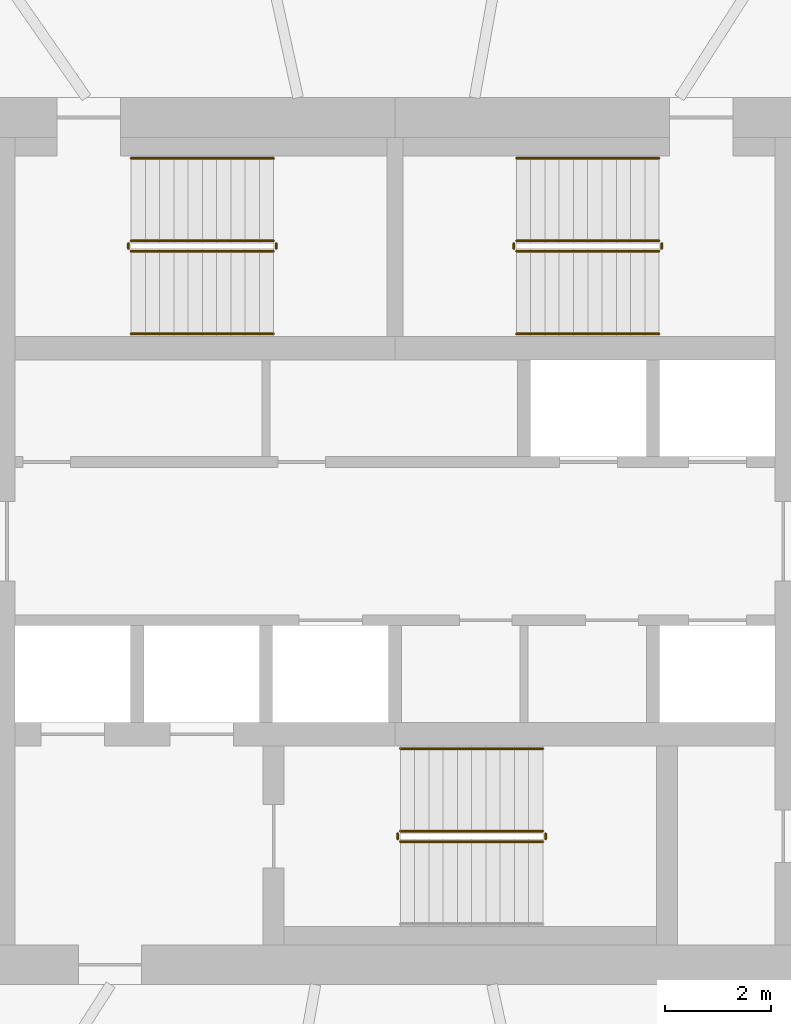
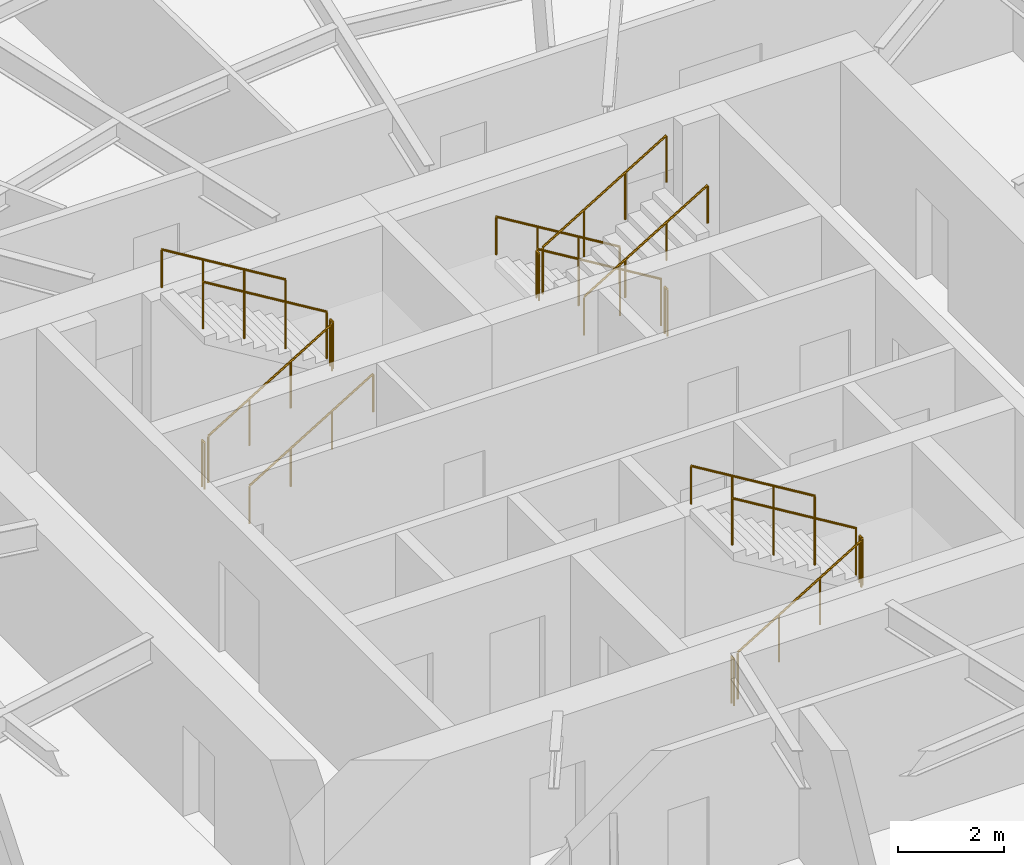
# One storey, part 13 of 14: 17 railings.
"""IFC4 building model written with IfcOpenShell, lengths in metres."""

from ifc_helpers import new_model, si_unit, direction, frame, origin, origin_2d, place, context, subcontext, project, spatial, circle, extrude, material, type_object, element, save


model = new_model("IFC4")

# Units and contexts
model_context = context("Model", 3, precision=1e-05, world=origin(), true_north=direction((0.0, 1.0)))
body_context = subcontext(model_context, "Body", "Model", "MODEL_VIEW")
ifc_project = project(units=[si_unit("LENGTHUNIT", "METRE"), si_unit("AREAUNIT", "SQUARE_METRE"), si_unit("VOLUMEUNIT", "CUBIC_METRE"), si_unit("PLANEANGLEUNIT", "RADIAN"), si_unit("MASSUNIT", "GRAM", prefix="KILO")], contexts=[model_context])

# Site, building, storey
site_placement = place(None, origin())
site = spatial("IfcSite", under=ifc_project, at=site_placement, CompositionType="ELEMENT")
building_placement = place(site_placement, origin())
building = spatial("IfcBuilding", under=site, at=building_placement, Name="Vermilion Reach Broadcast Tower", CompositionType="ELEMENT")
storey_placement = place(building_placement, frame((0.0, 0.0, 210.10009765625)))
storey = spatial("IfcBuildingStorey", under=building, at=storey_placement, Name="L51", CompositionType="ELEMENT", Elevation=210.10009765625)

# Railings
ifc_material_1 = material(Name="Stainless steel", Category="steel")
railing_type_1 = type_object("IfcRailingType", Name="Stair guard 1100", PredefinedType="GUARDRAIL", material=ifc_material_1)
railing_1_placement = place(storey_placement, frame((-11.0, 5.489990234375, 0.16357421875)))
element("IfcRailing", 1, at=railing_1_placement, inside=storey, type_object=railing_type_1, Name="L51 ST1 stair guard 1", PredefinedType="GUARDRAIL", context=body_context, shape_type="SweptSolid", body=[
    extrude(circle(Radius=0.02392578125, at=origin_2d()), frame((0.0, 0.0, 1.076171875), z_axis=(0.855212373127, 0.0, 0.518277721738), x_axis=(0.0, 1.0, 0.0)), (0.0, 0.0, 1.0), 3.156982421875),
    extrude(circle(Radius=0.02099609375, at=origin_2d()), origin(), (0.0, 0.0, 1.0), 1.052001953125),
    extrude(circle(Radius=0.02099609375, at=origin_2d()), frame((0.89990234375, 0.0, 0.54541015625)), (0.0, 0.0, 1.0), 1.052001953125),
    extrude(circle(Radius=0.02099609375, at=origin_2d()), frame((1.800048828125, 0.0, 1.0908203125)), (0.0, 0.0, 1.0), 1.052001953125),
    extrude(circle(Radius=0.02099609375, at=origin_2d()), frame((2.699951171875, 0.0, 1.63623046875)), (0.0, 0.0, 1.0), 1.052001953125),
])
railing_2_placement = place(storey_placement, frame((-8.25, 5.5400390625, 1.7998046875)))
element("IfcRailing", 2, at=railing_2_placement, inside=storey, type_object=railing_type_1, Name="L51 ST1 stair guard 2", PredefinedType="GUARDRAIL", context=body_context, shape_type="SweptSolid", body=[
    extrude(circle(Radius=0.02392578125, at=origin_2d()), frame((0.0, 0.0, 1.076171875), z_axis=(0.0, 1.0, 0.0), x_axis=(-1.0, 0.0, 0.0)), (0.0, 0.0, 1.0), 0.099853515625),
    extrude(circle(Radius=0.02099609375, at=origin_2d()), origin(), (0.0, 0.0, 1.0), 1.052001953125),
    extrude(circle(Radius=0.02099609375, at=origin_2d()), frame((0.0, 0.099853515625, 0.0)), (0.0, 0.0, 1.0), 1.052001953125),
])
railing_3_placement = place(storey_placement, frame((-8.300048828125, 5.68994140625, 1.963623046875)))
element("IfcRailing", 3, at=railing_3_placement, inside=storey, type_object=railing_type_1, Name="L51 ST1 stair guard 3", PredefinedType="GUARDRAIL", context=body_context, shape_type="SweptSolid", body=[
    extrude(circle(Radius=0.02392578125, at=origin_2d()), frame((0.0, 0.0, 1.076171875), z_axis=(-0.855212373127, 0.0, 0.518277721738), x_axis=(0.0, -1.0, 0.0)), (0.0, 0.0, 1.0), 3.156982421875),
    extrude(circle(Radius=0.02099609375, at=origin_2d()), origin(), (0.0, 0.0, 1.0), 1.052001953125),
    extrude(circle(Radius=0.02099609375, at=origin_2d()), frame((-0.89990234375, 0.0, 0.54541015625)), (0.0, 0.0, 1.0), 1.052001953125),
    extrude(circle(Radius=0.02099609375, at=origin_2d()), frame((-1.800048828125, 0.0, 1.0908203125)), (0.0, 0.0, 1.0), 1.052001953125),
    extrude(circle(Radius=0.02099609375, at=origin_2d()), frame((-2.699951171875, 0.0, 1.63623046875)), (0.0, 0.0, 1.0), 1.052001953125),
])
railing_4_placement = place(storey_placement, frame((-11.050048828125, 5.5400390625, 0.0)))
element("IfcRailing", 4, at=railing_4_placement, inside=storey, type_object=railing_type_1, Name="L51 ST1 stair guard 4", PredefinedType="GUARDRAIL", context=body_context, shape_type="SweptSolid", body=[
    extrude(circle(Radius=0.02392578125, at=origin_2d()), frame((0.0, 0.0, 1.076171875), z_axis=(0.0, 1.0, 0.0), x_axis=(-1.0, 0.0, 0.0)), (0.0, 0.0, 1.0), 0.099853515625),
    extrude(circle(Radius=0.02099609375, at=origin_2d()), origin(), (0.0, 0.0, 1.0), 1.052001953125),
    extrude(circle(Radius=0.02099609375, at=origin_2d()), frame((0.0, 0.099853515625, 0.0)), (0.0, 0.0, 1.0), 1.052001953125),
])
railing_5_placement = place(storey_placement, frame((-1.0, 5.68994140625, 0.16357421875)))
element("IfcRailing", 5, at=railing_5_placement, inside=storey, type_object=railing_type_1, Name="L51 ST2 stair guard 1", PredefinedType="GUARDRAIL", context=body_context, shape_type="SweptSolid", body=[
    extrude(circle(Radius=0.02392578125, at=origin_2d()), frame((0.0, 0.0, 1.076171875), z_axis=(-0.855212373127, 0.0, 0.518277721738), x_axis=(0.0, -1.0, 0.0)), (0.0, 0.0, 1.0), 3.156982421875),
    extrude(circle(Radius=0.02099609375, at=origin_2d()), origin(), (0.0, 0.0, 1.0), 1.052001953125),
    extrude(circle(Radius=0.02099609375, at=origin_2d()), frame((-0.89990234375, 0.0, 0.54541015625)), (0.0, 0.0, 1.0), 1.052001953125),
    extrude(circle(Radius=0.02099609375, at=origin_2d()), frame((-1.800048828125, 0.0, 1.0908203125)), (0.0, 0.0, 1.0), 1.052001953125),
    extrude(circle(Radius=0.02099609375, at=origin_2d()), frame((-2.699951171875, 0.0, 1.63623046875)), (0.0, 0.0, 1.0), 1.052001953125),
])
railing_6_placement = place(storey_placement, frame((-3.75, 5.639892578125, 1.7998046875)))
element("IfcRailing", 6, at=railing_6_placement, inside=storey, type_object=railing_type_1, Name="L51 ST2 stair guard 2", PredefinedType="GUARDRAIL", context=body_context, shape_type="SweptSolid", body=[
    extrude(circle(Radius=0.02392578125, at=origin_2d()), frame((0.0, 0.0, 1.076171875), z_axis=(0.0, -1.0, 0.0), x_axis=(1.0, 0.0, 0.0)), (0.0, 0.0, 1.0), 0.099853515625),
    extrude(circle(Radius=0.02099609375, at=origin_2d()), origin(), (0.0, 0.0, 1.0), 1.052001953125),
    extrude(circle(Radius=0.02099609375, at=origin_2d()), frame((0.0, -0.099853515625, 0.0)), (0.0, 0.0, 1.0), 1.052001953125),
])
railing_7_placement = place(storey_placement, frame((-3.699951171875, 5.489990234375, 1.963623046875)))
element("IfcRailing", 7, at=railing_7_placement, inside=storey, type_object=railing_type_1, Name="L51 ST2 stair guard 3", PredefinedType="GUARDRAIL", context=body_context, shape_type="SweptSolid", body=[
    extrude(circle(Radius=0.02392578125, at=origin_2d()), frame((0.0, 0.0, 1.076171875), z_axis=(0.855212373127, 0.0, 0.518277721738), x_axis=(0.0, 1.0, 0.0)), (0.0, 0.0, 1.0), 3.156982421875),
    extrude(circle(Radius=0.02099609375, at=origin_2d()), origin(), (0.0, 0.0, 1.0), 1.052001953125),
    extrude(circle(Radius=0.02099609375, at=origin_2d()), frame((0.89990234375, 0.0, 0.54541015625)), (0.0, 0.0, 1.0), 1.052001953125),
    extrude(circle(Radius=0.02099609375, at=origin_2d()), frame((1.800048828125, 0.0, 1.0908203125)), (0.0, 0.0, 1.0), 1.052001953125),
    extrude(circle(Radius=0.02099609375, at=origin_2d()), frame((2.699951171875, 0.0, 1.63623046875)), (0.0, 0.0, 1.0), 1.052001953125),
])
railing_8_placement = place(storey_placement, frame((-0.949951171875, 5.639892578125, 0.0)))
element("IfcRailing", 8, at=railing_8_placement, inside=storey, type_object=railing_type_1, Name="L51 ST2 stair guard 4", PredefinedType="GUARDRAIL", context=body_context, shape_type="SweptSolid", body=[
    extrude(circle(Radius=0.02392578125, at=origin_2d()), frame((0.0, 0.0, 1.076171875), z_axis=(0.0, -1.0, 0.0), x_axis=(1.0, 0.0, 0.0)), (0.0, 0.0, 1.0), 0.099853515625),
    extrude(circle(Radius=0.02099609375, at=origin_2d()), origin(), (0.0, 0.0, 1.0), 1.052001953125),
    extrude(circle(Radius=0.02099609375, at=origin_2d()), frame((0.0, -0.099853515625, 0.0)), (0.0, 0.0, 1.0), 1.052001953125),
])
railing_9_placement = place(storey_placement, frame((-5.89990234375, -5.68994140625, 0.16357421875)))
element("IfcRailing", 9, at=railing_9_placement, inside=storey, type_object=railing_type_1, Name="L51 ST3 stair guard 1", PredefinedType="GUARDRAIL", context=body_context, shape_type="SweptSolid", body=[
    extrude(circle(Radius=0.02392578125, at=origin_2d()), frame((0.0, 0.0, 1.076171875), z_axis=(0.855212373127, 0.0, 0.518277721738), x_axis=(0.0, 1.0, 0.0)), (0.0, 0.0, 1.0), 3.156982421875),
    extrude(circle(Radius=0.02099609375, at=origin_2d()), origin(), (0.0, 0.0, 1.0), 1.052001953125),
    extrude(circle(Radius=0.02099609375, at=origin_2d()), frame((0.89990234375, 0.0, 0.54541015625)), (0.0, 0.0, 1.0), 1.052001953125),
    extrude(circle(Radius=0.02099609375, at=origin_2d()), frame((1.800048828125, 0.0, 1.0908203125)), (0.0, 0.0, 1.0), 1.052001953125),
    extrude(circle(Radius=0.02099609375, at=origin_2d()), frame((2.699951171875, 0.0, 1.63623046875)), (0.0, 0.0, 1.0), 1.052001953125),
])
railing_10_placement = place(storey_placement, frame((-3.14990234375, -5.639892578125, 1.7998046875)))
element("IfcRailing", 10, at=railing_10_placement, inside=storey, type_object=railing_type_1, Name="L51 ST3 stair guard 2", PredefinedType="GUARDRAIL", context=body_context, shape_type="SweptSolid", body=[
    extrude(circle(Radius=0.02392578125, at=origin_2d()), frame((0.0, 0.0, 1.076171875), z_axis=(0.0, 1.0, 0.0), x_axis=(-1.0, 0.0, 0.0)), (0.0, 0.0, 1.0), 0.099853515625),
    extrude(circle(Radius=0.02099609375, at=origin_2d()), origin(), (0.0, 0.0, 1.0), 1.052001953125),
    extrude(circle(Radius=0.02099609375, at=origin_2d()), frame((0.0, 0.099853515625, 0.0)), (0.0, 0.0, 1.0), 1.052001953125),
])
railing_11_placement = place(storey_placement, frame((-3.199951171875, -5.489990234375, 1.963623046875)))
element("IfcRailing", 11, at=railing_11_placement, inside=storey, type_object=railing_type_1, Name="L51 ST3 stair guard 3", PredefinedType="GUARDRAIL", context=body_context, shape_type="SweptSolid", body=[
    extrude(circle(Radius=0.02392578125, at=origin_2d()), frame((0.0, 0.0, 1.076171875), z_axis=(-0.855212373127, 0.0, 0.518277721738), x_axis=(0.0, -1.0, 0.0)), (0.0, 0.0, 1.0), 3.156982421875),
    extrude(circle(Radius=0.02099609375, at=origin_2d()), origin(), (0.0, 0.0, 1.0), 1.052001953125),
    extrude(circle(Radius=0.02099609375, at=origin_2d()), frame((-0.89990234375, 0.0, 0.54541015625)), (0.0, 0.0, 1.0), 1.052001953125),
    extrude(circle(Radius=0.02099609375, at=origin_2d()), frame((-1.800048828125, 0.0, 1.0908203125)), (0.0, 0.0, 1.0), 1.052001953125),
    extrude(circle(Radius=0.02099609375, at=origin_2d()), frame((-2.699951171875, 0.0, 1.63623046875)), (0.0, 0.0, 1.0), 1.052001953125),
])
railing_12_placement = place(storey_placement, frame((-5.949951171875, -5.639892578125, 0.0)))
element("IfcRailing", 12, at=railing_12_placement, inside=storey, type_object=railing_type_1, Name="L51 ST3 stair guard 4", PredefinedType="GUARDRAIL", context=body_context, shape_type="SweptSolid", body=[
    extrude(circle(Radius=0.02392578125, at=origin_2d()), frame((0.0, 0.0, 1.076171875), z_axis=(0.0, 1.0, 0.0), x_axis=(-1.0, 0.0, 0.0)), (0.0, 0.0, 1.0), 0.099853515625),
    extrude(circle(Radius=0.02099609375, at=origin_2d()), origin(), (0.0, 0.0, 1.0), 1.052001953125),
    extrude(circle(Radius=0.02099609375, at=origin_2d()), frame((0.0, 0.099853515625, 0.0)), (0.0, 0.0, 1.0), 1.052001953125),
])
ifc_material_2 = material(Name="Stainless steel", Category="steel")
railing_type_2 = type_object("IfcRailingType", Name="Stair handrail", PredefinedType="HANDRAIL", material=ifc_material_2)
railing_13_placement = place(storey_placement, frame((-11.0, 3.929931640625, 0.16357421875)))
element("IfcRailing", 13, at=railing_13_placement, inside=storey, type_object=railing_type_2, Name="L51 ST1 stair handrail 1", PredefinedType="HANDRAIL", context=body_context, shape_type="SweptSolid", body=[
    extrude(circle(Radius=0.02392578125, at=origin_2d()), frame((0.0, 0.0, 0.8759765625), z_axis=(0.855212373127, 0.0, 0.518277721738), x_axis=(0.0, 1.0, 0.0)), (0.0, 0.0, 1.0), 3.156982421875),
    extrude(circle(Radius=0.02099609375, at=origin_2d()), origin(), (0.0, 0.0, 1.0), 0.851806640625),
    extrude(circle(Radius=0.02099609375, at=origin_2d()), frame((0.89990234375, 0.0, 0.54541015625)), (0.0, 0.0, 1.0), 0.851806640625),
    extrude(circle(Radius=0.02099609375, at=origin_2d()), frame((1.800048828125, 0.0, 1.0908203125)), (0.0, 0.0, 1.0), 0.851806640625),
    extrude(circle(Radius=0.02099609375, at=origin_2d()), frame((2.699951171875, 0.0, 1.63623046875)), (0.0, 0.0, 1.0), 0.851806640625),
])
for number, where, name in (
    (14, (-8.300048828125, 7.25, 1.963623046875), "L51 ST1 stair handrail 2"),
    (15, (-1.0, 7.25, 0.16357421875), "L51 ST2 stair handrail 1"),
):
    element("IfcRailing", number, at=place(storey_placement, frame(where)), inside=storey, type_object=railing_type_2, Name=name, PredefinedType="HANDRAIL", context=body_context, shape_type="SweptSolid", body=[
        extrude(circle(Radius=0.02392578125, at=origin_2d()), frame((0.0, 0.0, 0.8759765625), z_axis=(-0.855212373127, 0.0, 0.518277721738), x_axis=(0.0, -1.0, 0.0)), (0.0, 0.0, 1.0), 3.156982421875),
        extrude(circle(Radius=0.02099609375, at=origin_2d()), origin(), (0.0, 0.0, 1.0), 0.851806640625),
        extrude(circle(Radius=0.02099609375, at=origin_2d()), frame((-0.89990234375, 0.0, 0.54541015625)), (0.0, 0.0, 1.0), 0.851806640625),
        extrude(circle(Radius=0.02099609375, at=origin_2d()), frame((-1.800048828125, 0.0, 1.0908203125)), (0.0, 0.0, 1.0), 0.851806640625),
        extrude(circle(Radius=0.02099609375, at=origin_2d()), frame((-2.699951171875, 0.0, 1.63623046875)), (0.0, 0.0, 1.0), 0.851806640625),
    ])
railing_14_placement = place(storey_placement, frame((-3.699951171875, 3.929931640625, 1.963623046875)))
element("IfcRailing", 16, at=railing_14_placement, inside=storey, type_object=railing_type_2, Name="L51 ST2 stair handrail 2", PredefinedType="HANDRAIL", context=body_context, shape_type="SweptSolid", body=[
    extrude(circle(Radius=0.02392578125, at=origin_2d()), frame((0.0, 0.0, 0.8759765625), z_axis=(0.855212373127, 0.0, 0.518277721738), x_axis=(0.0, 1.0, 0.0)), (0.0, 0.0, 1.0), 3.156982421875),
    extrude(circle(Radius=0.02099609375, at=origin_2d()), origin(), (0.0, 0.0, 1.0), 0.851806640625),
    extrude(circle(Radius=0.02099609375, at=origin_2d()), frame((0.89990234375, 0.0, 0.54541015625)), (0.0, 0.0, 1.0), 0.851806640625),
    extrude(circle(Radius=0.02099609375, at=origin_2d()), frame((1.800048828125, 0.0, 1.0908203125)), (0.0, 0.0, 1.0), 0.851806640625),
    extrude(circle(Radius=0.02099609375, at=origin_2d()), frame((2.699951171875, 0.0, 1.63623046875)), (0.0, 0.0, 1.0), 0.851806640625),
])
railing_15_placement = place(storey_placement, frame((-3.199951171875, -3.929931640625, 1.963623046875)))
element("IfcRailing", 17, at=railing_15_placement, inside=storey, type_object=railing_type_2, Name="L51 ST3 stair handrail 2", PredefinedType="HANDRAIL", context=body_context, shape_type="SweptSolid", body=[
    extrude(circle(Radius=0.02392578125, at=origin_2d()), frame((0.0, 0.0, 0.8759765625), z_axis=(-0.855212373127, 0.0, 0.518277721738), x_axis=(0.0, -1.0, 0.0)), (0.0, 0.0, 1.0), 3.156982421875),
    extrude(circle(Radius=0.02099609375, at=origin_2d()), origin(), (0.0, 0.0, 1.0), 0.851806640625),
    extrude(circle(Radius=0.02099609375, at=origin_2d()), frame((-0.89990234375, 0.0, 0.54541015625)), (0.0, 0.0, 1.0), 0.851806640625),
    extrude(circle(Radius=0.02099609375, at=origin_2d()), frame((-1.800048828125, 0.0, 1.0908203125)), (0.0, 0.0, 1.0), 0.851806640625),
    extrude(circle(Radius=0.02099609375, at=origin_2d()), frame((-2.699951171875, 0.0, 1.63623046875)), (0.0, 0.0, 1.0), 0.851806640625),
])

save(model, "model.ifc")
